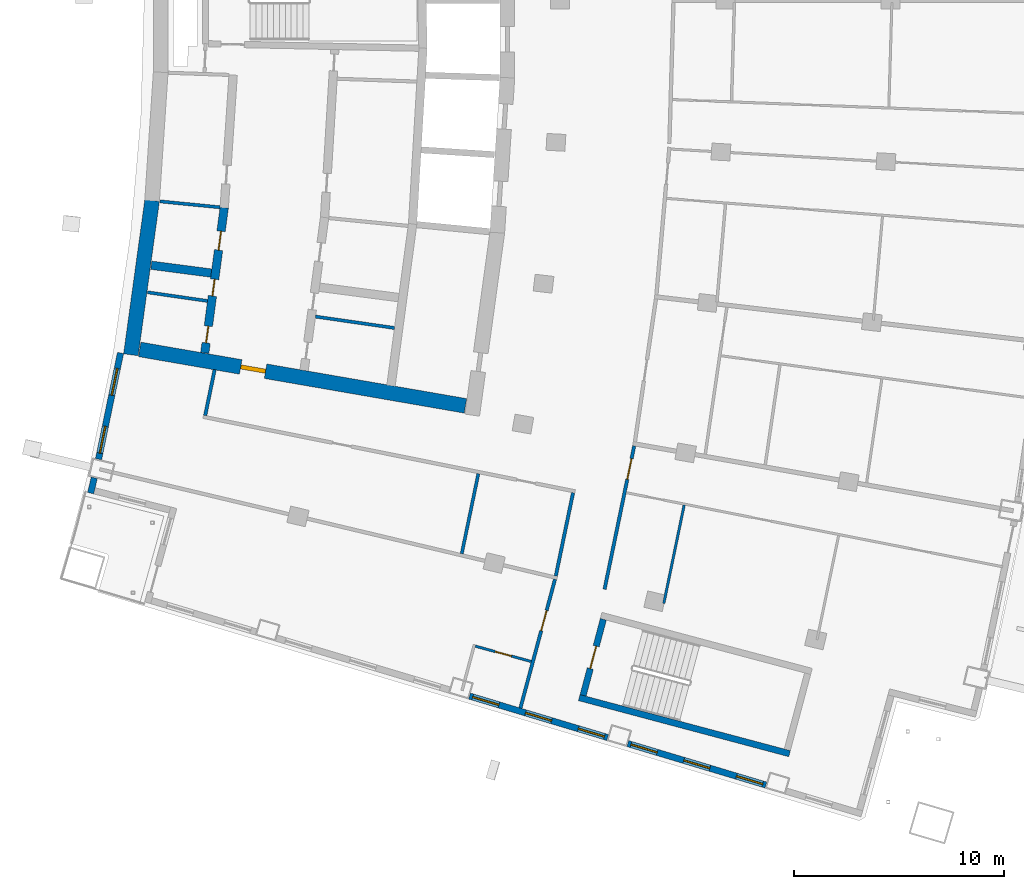
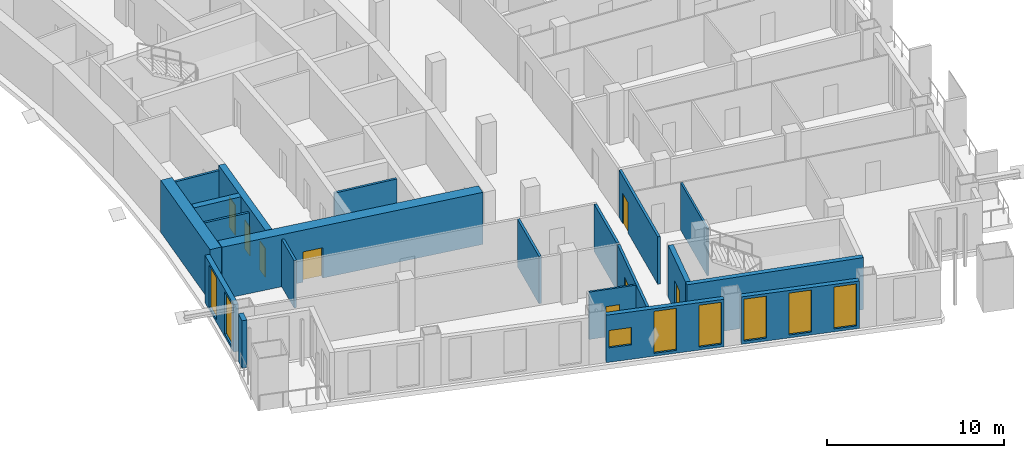
# One storey, part 10 of 20: 20 walls, 8 doors, 8 windows, 16 openings.
"""IFC4 building model written with IfcOpenShell, lengths in metres."""

from ifc_helpers import new_model, si_unit, direction, frame, frame_2d, origin, place, context, subcontext, project, spatial, rectangle, extrude, material, layer, layer_set, type_object, element, fill, save


model = new_model("IFC4")

# Units and contexts
model_context = context("Model", 3, precision=1e-05, world=origin(), true_north=direction((0.0, 1.0)))
body_context = subcontext(model_context, "Body", "Model", "MODEL_VIEW")
ifc_project = project(units=[si_unit("LENGTHUNIT", "METRE"), si_unit("AREAUNIT", "SQUARE_METRE"), si_unit("VOLUMEUNIT", "CUBIC_METRE"), si_unit("PLANEANGLEUNIT", "RADIAN"), si_unit("MASSUNIT", "GRAM", prefix="KILO")], contexts=[model_context])

# Site, building, storey
site_placement = place(None, origin())
site = spatial("IfcSite", under=ifc_project, at=site_placement, CompositionType="ELEMENT")
building_placement = place(site_placement, origin())
building = spatial("IfcBuilding", under=site, at=building_placement, Name="Alderwake Tower", CompositionType="ELEMENT")
storey_placement = place(building_placement, frame((0.0, 0.0, 167.60009765625)))
storey = spatial("IfcBuildingStorey", under=building, at=storey_placement, Name="L41", CompositionType="ELEMENT", Elevation=167.60009765625)

# Walls
ifc_material_1 = material(Name="Gypsum shaft wall system, rated")
ifc_layer_1 = layer(ifc_material_1, 0.14990234375)
ifc_layer_set_1 = layer_set([ifc_layer_1], Name="Core room partition 150")
wall_type_1 = type_object("IfcWallType", Name="Core room partition 150", PredefinedType="PARTITIONING", material=ifc_layer_set_1)
wall_1_placement = place(storey_placement, frame((16.16357421875, 47.110595703125, 0.0), z_axis=(0.0, 0.0, 1.0), x_axis=(0.989731551655, -0.142938642984, 0.0)))
element("IfcWall", 1, at=wall_1_placement, inside=storey, type_object=wall_type_1, Name="CW/L41/PR-150_+0", PredefinedType="PARTITIONING", context=body_context, shape_type="SweptSolid", body=[
    extrude(rectangle(XDim=2.883056640625, YDim=0.14990234375, at=frame_2d((1.44140625, 0.0))), origin(), (0.0, 0.0, 1.0), 3.27978515625),
])
wall_2_placement = place(storey_placement, frame((24.160400390625, 45.95556640625, 0.0), z_axis=(0.0, 0.0, 1.0), x_axis=(0.989733513529, -0.142925057975, 0.0)))
element("IfcWall", 2, at=wall_2_placement, inside=storey, type_object=wall_type_1, Name="CW/L41/PR-150_+86", PredefinedType="PARTITIONING", context=body_context, shape_type="SweptSolid", body=[
    extrude(rectangle(XDim=3.795654296875, YDim=0.14990234375, at=frame_2d((1.89794921875, 0.0))), origin(), (0.0, 0.0, 1.0), 3.27978515625),
])
wall_3_placement = place(storey_placement, frame((16.759033203125, 51.438720703125, 0.0), z_axis=(0.0, 0.0, 1.0), x_axis=(0.995151923206, -0.098349630095, 0.0)))
element("IfcWall", 3, at=wall_3_placement, inside=storey, type_object=wall_type_1, Name="CW/L41/PR-103_+0", PredefinedType="PARTITIONING", context=body_context, shape_type="SweptSolid", body=[
    extrude(rectangle(XDim=2.86962890625, YDim=0.14990234375, at=frame_2d((1.434814453125, 0.0))), origin(), (0.0, 0.0, 1.0), 3.27978515625),
])
ifc_material_2 = material(Name="Concrete C70/85", Category="concrete")
ifc_layer_2 = layer(ifc_material_2, 0.699951171875)
ifc_layer_set_2 = layer_set([ifc_layer_2], Name="Core wall outer 700 C70-85")
wall_type_2 = type_object("IfcWallType", Name="Core wall outer 700 C70-85", PredefinedType="SHEAR", material=ifc_layer_set_2)
wall_4_placement = place(storey_placement, frame((15.370849609375, 44.1376953125, 0.0), z_axis=(0.0, 0.0, 1.0), x_axis=(0.136315619812, 0.99066545907, 0.0)))
element("IfcWall", 4, at=wall_4_placement, inside=storey, type_object=wall_type_2, Name="Core wall CW.042", PredefinedType="SHEAR", context=body_context, shape_type="SweptSolid", body=[
    extrude(rectangle(XDim=7.420166015625, YDim=0.699951171875, at=frame_2d((3.7099609375, 0.0))), origin(), (0.0, 0.0, 1.0), 3.599853515625),
])

# Wall, opening, door
wall_5_placement = place(storey_placement, frame((31.295654296875, 41.705810546875, 0.0), z_axis=(0.0, 0.0, 1.0), x_axis=(-0.985302589944, 0.170818050129, 0.0)))
wall_5 = element("IfcWall", 5, at=wall_5_placement, inside=storey, type_object=wall_type_2, Name="Core wall CW.072", PredefinedType="SHEAR", context=body_context, shape_type="SweptSolid", body=[
    extrude(rectangle(XDim=15.7373046875, YDim=0.699951171875, at=frame_2d((7.86865234375, 0.0))), origin(), (0.0, 0.0, 1.0), 3.599853515625),
])
opening_1_placement = place(wall_5_placement, frame((9.65576171875, 0.0, 0.0)))
opening_1 = element("IfcOpeningElement", 6, at=opening_1_placement, cuts=wall_5, Name="Opening C003", PredefinedType="OPENING", context=body_context, shape_type="SweptSolid", body=[
    extrude(rectangle(XDim=1.199951171875, YDim=2.10009765625, at=frame_2d((0.60009765625, 1.050048828125))), frame((0.0, 0.35986328125, 0.0), z_axis=(0.0, -1.0, 0.0), x_axis=(1.0, 0.0, 0.0)), (0.0, 0.0, 1.0), 0.719970703125),
])
ifc_material_3 = material(Name="Steel-framed fire door leaf", Category="steel")
door_type_1 = type_object("IfcDoorType", Name="Core lobby exit door 1200 fire-rated", OperationType="SINGLE_SWING_LEFT", PredefinedType="DOOR", material=ifc_material_3)
door_1_placement = place(opening_1_placement, origin())
door_1 = element("IfcDoor", 7, at=door_1_placement, inside=storey, type_object=door_type_1, Name="Lobby door", OperationType="SINGLE_SWING_LEFT", OverallHeight=2.10009765625, OverallWidth=1.199951171875, PredefinedType="DOOR", context=body_context, shape_type="SweptSolid", body=[
    extrude(rectangle(XDim=1.199951171875, YDim=2.10009765625, at=frame_2d((0.60009765625, 1.050048828125))), frame((0.0, 0.10009765625, 0.0), z_axis=(0.0, -1.0, 0.0), x_axis=(1.0, 0.0, 0.0)), (0.0, 0.0, 1.0), 0.199951171875),
])
fill(opening_1, door_1)

# Wall, openings, doors
ifc_material_4 = material(Name="Concrete C70/85", Category="concrete")
ifc_layer_3 = layer(ifc_material_4, 0.39990234375)
ifc_layer_set_3 = layer_set([ifc_layer_3], Name="Core wall spine 400 C70-85")
wall_type_3 = type_object("IfcWallType", Name="Core wall spine 400 C70-85", PredefinedType="SHEAR", material=ifc_layer_set_3)
wall_6_placement = place(storey_placement, frame((19.814697265625, 51.143798828125, 0.0), z_axis=(0.0, 0.0, 1.0), x_axis=(-0.132864871698, -0.991134161387, 0.0)))
wall_6 = element("IfcWall", 8, at=wall_6_placement, inside=storey, type_object=wall_type_3, Name="Core wall CW.033", PredefinedType="SHEAR", context=body_context, shape_type="SweptSolid", body=[
    extrude(rectangle(XDim=6.978759765625, YDim=0.39990234375, at=frame_2d((3.4892578125, 0.0))), origin(), (0.0, 0.0, 1.0), 3.599853515625),
])
opening_2_placement = place(wall_6_placement, frame((5.69677734375, 0.0, 0.0)))
opening_2 = element("IfcOpeningElement", 9, at=opening_2_placement, cuts=wall_6, Name="Opening C008", PredefinedType="OPENING", context=body_context, shape_type="SweptSolid", body=[
    extrude(rectangle(XDim=0.800048828125, YDim=2.0, at=frame_2d((0.39990234375, 1.0))), frame((0.0, 0.2099609375, 0.0), z_axis=(0.0, -1.0, 0.0), x_axis=(1.0, 0.0, 0.0)), (0.0, 0.0, 1.0), 0.419921875),
])
opening_3_placement = place(wall_6_placement, frame((3.443115234375, 0.0, 0.0)))
opening_3 = element("IfcOpeningElement", 10, at=opening_3_placement, cuts=wall_6, Name="Opening C012", PredefinedType="OPENING", context=body_context, shape_type="SweptSolid", body=[
    extrude(rectangle(XDim=0.800048828125, YDim=2.0, at=frame_2d((0.39990234375, 1.0))), frame((0.0, 0.2099609375, 0.0), z_axis=(0.0, -1.0, 0.0), x_axis=(1.0, 0.0, 0.0)), (0.0, 0.0, 1.0), 0.419921875),
])
opening_4_placement = place(wall_6_placement, frame((1.13916015625, 0.0, 0.0)))
opening_4 = element("IfcOpeningElement", 11, at=opening_4_placement, cuts=wall_6, Name="Opening C039", PredefinedType="OPENING", context=body_context, shape_type="SweptSolid", body=[
    extrude(rectangle(XDim=0.89990234375, YDim=2.10009765625, at=frame_2d((0.449951171875, 1.050048828125))), frame((0.0, 0.2099609375, 0.0), z_axis=(0.0, -1.0, 0.0), x_axis=(1.0, 0.0, 0.0)), (0.0, 0.0, 1.0), 0.419921875),
])
ifc_material_5 = material(Name="Painted steel leaf", Category="steel")
door_type_2 = type_object("IfcDoorType", Name="Core room door 900", OperationType="SINGLE_SWING_LEFT", PredefinedType="DOOR", material=ifc_material_5)
door_2_placement = place(opening_4_placement, origin())
door_2 = element("IfcDoor", 12, at=door_2_placement, inside=storey, type_object=door_type_2, Name="Room door", OperationType="SINGLE_SWING_LEFT", OverallHeight=2.10009765625, OverallWidth=0.89990234375, PredefinedType="DOOR", context=body_context, shape_type="SweptSolid", body=[
    extrude(rectangle(XDim=0.89990234375, YDim=2.10009765625, at=frame_2d((0.449951171875, 1.050048828125))), frame((0.0, 0.02490234375, 0.0), z_axis=(0.0, -1.0, 0.0), x_axis=(1.0, 0.0, 0.0)), (0.0, 0.0, 1.0), 0.050048828125),
])
fill(opening_4, door_2)
ifc_material_6 = material(Name="Painted steel leaf, rated", Category="steel")
door_type_3 = type_object("IfcDoorType", Name="Riser access door 800", OperationType="SINGLE_SWING_LEFT", PredefinedType="DOOR", material=ifc_material_6)
door_3_placement = place(opening_2_placement, origin())
door_3 = element("IfcDoor", 13, at=door_3_placement, inside=storey, type_object=door_type_3, Name="Riser access door", OperationType="SINGLE_SWING_LEFT", OverallHeight=2.0, OverallWidth=0.800048828125, PredefinedType="DOOR", context=body_context, shape_type="SweptSolid", body=[
    extrude(rectangle(XDim=0.800048828125, YDim=2.0, at=frame_2d((0.39990234375, 1.0))), frame((0.0, 0.02490234375, 0.0), z_axis=(0.0, -1.0, 0.0), x_axis=(1.0, 0.0, 0.0)), (0.0, 0.0, 1.0), 0.050048828125),
])
fill(opening_2, door_3)
door_4_placement = place(opening_3_placement, origin())
door_4 = element("IfcDoor", 14, at=door_4_placement, inside=storey, type_object=door_type_3, Name="Riser access door", OperationType="SINGLE_SWING_RIGHT", OverallHeight=2.0, OverallWidth=0.800048828125, PredefinedType="DOOR", context=body_context, shape_type="SweptSolid", body=[
    extrude(rectangle(XDim=0.800048828125, YDim=2.0, at=frame_2d((0.39990234375, 1.0))), frame((0.0, 0.02490234375, 0.0), z_axis=(0.0, -1.0, 0.0), x_axis=(1.0, 0.0, 0.0)), (0.0, 0.0, 1.0), 0.050048828125),
])
fill(opening_3, door_4)

# Walls
wall_7_placement = place(storey_placement, frame((16.3408203125, 48.3994140625, 0.0), z_axis=(0.0, 0.0, 1.0), x_axis=(0.991544987266, -0.129763393253, 0.0)))
element("IfcWall", 15, at=wall_7_placement, inside=storey, type_object=wall_type_3, Name="Core wall CW.067", PredefinedType="SHEAR", context=body_context, shape_type="SweptSolid", body=[
    extrude(rectangle(XDim=2.878662109375, YDim=0.39990234375, at=frame_2d((1.439453125, 0.0))), origin(), (0.0, 0.0, 1.0), 3.599853515625),
])
ifc_material_7 = material(Name="Concrete C70/85", Category="concrete")
ifc_layer_4 = layer(ifc_material_7, 0.300048828125)
ifc_layer_set_4 = layer_set([ifc_layer_4], Name="Core wall stair enclosure 300 C70-85")
wall_type_4 = type_object("IfcWallType", Name="Core wall stair enclosure 300 C70-85", PredefinedType="SHEAR", material=ifc_layer_set_4)
wall_8_placement = place(storey_placement, frame((36.71142578125, 27.817626953125, 0.0), z_axis=(0.0, 0.0, 1.0), x_axis=(0.966309214305, -0.257383958996, 0.0)))
element("IfcWall", 16, at=wall_8_placement, inside=storey, type_object=wall_type_4, Name="Core wall CW.088", PredefinedType="SHEAR", context=body_context, shape_type="SweptSolid", body=[
    extrude(rectangle(XDim=10.360107421875, YDim=0.300048828125, at=frame_2d((5.18017578125, 0.0))), origin(), (0.0, 0.0, 1.0), 3.599853515625),
])

# Wall, opening, door
wall_9_placement = place(storey_placement, frame((36.89501953125, 27.923828125, 0.0), z_axis=(0.0, 0.0, 1.0), x_axis=(0.257350630826, 0.966318090907, 0.0)))
wall_9 = element("IfcWall", 17, at=wall_9_placement, inside=storey, type_object=wall_type_4, Name="Core wall CW.087", PredefinedType="SHEAR", context=body_context, shape_type="SweptSolid", body=[
    extrude(rectangle(XDim=3.75, YDim=0.300048828125, at=frame_2d((1.875, 0.0))), origin(), (0.0, 0.0, 1.0), 3.599853515625),
])
opening_5_placement = place(wall_9_placement, frame((1.324951171875, 0.0, 0.0)))
opening_5 = element("IfcOpeningElement", 18, at=opening_5_placement, cuts=wall_9, Name="Opening C065", PredefinedType="OPENING", context=body_context, shape_type="SweptSolid", body=[
    extrude(rectangle(XDim=1.10009765625, YDim=2.10009765625, at=frame_2d((0.550048828125, 1.050048828125))), frame((0.0, 0.159912109375, 0.0), z_axis=(0.0, -1.0, 0.0), x_axis=(1.0, 0.0, 0.0)), (0.0, 0.0, 1.0), 0.320068359375),
])
ifc_material_8 = material(Name="Steel-framed fire door leaf", Category="steel")
door_type_4 = type_object("IfcDoorType", Name="Core stair door 1100 fire-rated", OperationType="SINGLE_SWING_LEFT", PredefinedType="DOOR", material=ifc_material_8)
door_5_placement = place(opening_5_placement, origin())
door_5 = element("IfcDoor", 19, at=door_5_placement, inside=storey, type_object=door_type_4, Name="Stair door", OperationType="SINGLE_SWING_RIGHT", OverallHeight=2.10009765625, OverallWidth=1.10009765625, PredefinedType="DOOR", context=body_context, shape_type="SweptSolid", body=[
    extrude(rectangle(XDim=1.10009765625, YDim=2.10009765625, at=frame_2d((0.550048828125, 1.050048828125))), frame((0.0, 0.02490234375, 0.0), z_axis=(0.0, -1.0, 0.0), x_axis=(1.0, 0.0, 0.0)), (0.0, 0.0, 1.0), 0.050048828125),
])
fill(opening_5, door_5)

# Wall
ifc_material_9 = material(Name="Gypsum board on metal studs, rated")
ifc_layer_5 = layer(ifc_material_9, 0.159912109375)
ifc_layer_set_5 = layer_set([ifc_layer_5], Name="Corridor wall 160")
wall_type_5 = type_object("IfcWallType", Name="Corridor wall 160", PredefinedType="PARTITIONING", material=ifc_layer_set_5)
wall_10_placement = place(storey_placement, frame((19.35888671875, 43.430908203125, 0.0), z_axis=(0.0, 0.0, 1.0), x_axis=(-0.202554916658, -0.979270905183, 0.0)))
element("IfcWall", 20, at=wall_10_placement, inside=storey, type_object=wall_type_5, Name="WL/L41/W13", PredefinedType="PARTITIONING", context=body_context, shape_type="SweptSolid", body=[
    extrude(rectangle(XDim=2.229736328125, YDim=0.159912109375, at=frame_2d((1.11474609375, 0.0))), origin(), (0.0, 0.0, 1.0), 3.27978515625),
])

# Wall, opening, door
wall_11_placement = place(storey_placement, frame((33.912109375, 27.321044921875, 0.0), z_axis=(0.0, 0.0, 1.0), x_axis=(0.259370874835, 0.965777794986, 0.0)))
wall_11 = element("IfcWall", 21, at=wall_11_placement, inside=storey, type_object=wall_type_5, Name="WL/L41/W16", PredefinedType="PARTITIONING", context=body_context, shape_type="SweptSolid", body=[
    extrude(rectangle(XDim=6.349853515625, YDim=0.159912109375, at=frame_2d((3.1748046875, 0.0))), origin(), (0.0, 0.0, 1.0), 3.27978515625),
])
opening_6_placement = place(wall_11_placement, frame((3.811279296875, 0.0, 0.0)))
opening_6 = element("IfcOpeningElement", 22, at=opening_6_placement, cuts=wall_11, Name="Opening R11-U09.1", PredefinedType="OPENING", context=body_context, shape_type="SweptSolid", body=[
    extrude(rectangle(XDim=1.0, YDim=2.10009765625, at=frame_2d((0.5, 1.050048828125))), frame((0.0, 0.08984375, 0.0), z_axis=(0.0, -1.0, 0.0), x_axis=(1.0, 0.0, 0.0)), (0.0, 0.0, 1.0), 0.179931640625),
])
ifc_material_10 = material(Name="Solid timber leaf in steel frame", Category="steel")
door_type_5 = type_object("IfcDoorType", Name="Flat entrance door 1000 fire-rated", OperationType="SINGLE_SWING_LEFT", PredefinedType="DOOR", material=ifc_material_10)
door_6_placement = place(opening_6_placement, origin())
door_6 = element("IfcDoor", 23, at=door_6_placement, inside=storey, type_object=door_type_5, Name="DR/L41/U09.1", OperationType="SINGLE_SWING_LEFT", OverallHeight=2.10009765625, OverallWidth=1.0, PredefinedType="DOOR", context=body_context, shape_type="SweptSolid", body=[
    extrude(rectangle(XDim=1.0, YDim=2.10009765625, at=frame_2d((0.5, 1.050048828125))), frame((0.0, 0.02490234375, 0.0), z_axis=(0.0, -1.0, 0.0), x_axis=(1.0, 0.0, 0.0)), (0.0, 0.0, 1.0), 0.050048828125),
])
fill(opening_6, door_6)

# Wall
wall_12_placement = place(storey_placement, frame((36.418701171875, 37.57177734375, 0.0), z_axis=(0.0, 0.0, 1.0), x_axis=(-0.203245920818, -0.979127721838, 0.0)))
element("IfcWall", 24, at=wall_12_placement, inside=storey, type_object=wall_type_5, Name="WL/L41/W18", PredefinedType="PARTITIONING", context=body_context, shape_type="SweptSolid", body=[
    extrude(rectangle(XDim=4.046875, YDim=0.159912109375, at=frame_2d((2.0234375, 0.0))), origin(), (0.0, 0.0, 1.0), 3.27978515625),
])

# Wall, opening, door
wall_13_placement = place(storey_placement, frame((39.32763671875, 39.799072265625, 0.0), z_axis=(0.0, 0.0, 1.0), x_axis=(-0.202466556983, -0.979289177569, 0.0)))
wall_13 = element("IfcWall", 25, at=wall_13_placement, inside=storey, type_object=wall_type_5, Name="WL/L41/W20", PredefinedType="PARTITIONING", context=body_context, shape_type="SweptSolid", body=[
    extrude(rectangle(XDim=6.96728515625, YDim=0.159912109375, at=frame_2d((3.483642578125, 0.0))), origin(), (0.0, 0.0, 1.0), 3.27978515625),
])
opening_7_placement = place(wall_13_placement, frame((0.62744140625, 0.0, 0.0)))
opening_7 = element("IfcOpeningElement", 26, at=opening_7_placement, cuts=wall_13, Name="Opening R11-U03.2", PredefinedType="OPENING", context=body_context, shape_type="SweptSolid", body=[
    extrude(rectangle(XDim=1.0, YDim=2.10009765625, at=frame_2d((0.5, 1.050048828125))), frame((0.0, 0.08984375, 0.0), z_axis=(0.0, -1.0, 0.0), x_axis=(1.0, 0.0, 0.0)), (0.0, 0.0, 1.0), 0.179931640625),
])
door_7_placement = place(opening_7_placement, origin())
door_7 = element("IfcDoor", 27, at=door_7_placement, inside=storey, type_object=door_type_5, Name="DR/L41/U03.2", OperationType="SINGLE_SWING_LEFT", OverallHeight=2.10009765625, OverallWidth=1.0, PredefinedType="DOOR", context=body_context, shape_type="SweptSolid", body=[
    extrude(rectangle(XDim=1.0, YDim=2.10009765625, at=frame_2d((0.5, 1.050048828125))), frame((0.0, 0.02490234375, 0.0), z_axis=(0.0, -1.0, 0.0), x_axis=(1.0, 0.0, 0.0)), (0.0, 0.0, 1.0), 0.050048828125),
])
fill(opening_7, door_7)

# Wall
ifc_material_11 = material(Name="Precast concrete C50/60 spandrel panel", Category="concrete")
ifc_layer_6 = layer(ifc_material_11, 0.300048828125)
ifc_layer_set_6 = layer_set([ifc_layer_6], Name="External wall EW1 Precast concrete C50/60 spandrel")
wall_type_6 = type_object("IfcWallType", Name="External wall EW1 Precast concrete C50/60 spandrel", PredefinedType="SOLIDWALL", material=ifc_layer_set_6)
wall_14_placement = place(storey_placement, frame((13.63134765625, 38.28271484375, 0.0), z_axis=(0.0, 0.0, 1.0), x_axis=(-0.238336947214, -0.971182526404, 0.0)))
element("IfcWall", 28, at=wall_14_placement, inside=storey, type_object=wall_type_6, Name="External wall 1", PredefinedType="SOLIDWALL", context=body_context, shape_type="SweptSolid", body=[
    extrude(rectangle(XDim=0.7529296875, YDim=0.300048828125, at=frame_2d((0.37646484375, 0.0))), origin(), (0.0, 0.0, 1.0), 3.27978515625),
])

# Wall, openings, windows
wall_15_placement = place(storey_placement, frame((14.878173828125, 44.223388671875, 0.0), z_axis=(0.0, 0.0, 1.0), x_axis=(-0.202754243564, -0.979229654737, 0.0)))
wall_15 = element("IfcWall", 29, at=wall_15_placement, inside=storey, type_object=wall_type_6, Name="External wall 32", PredefinedType="SOLIDWALL", context=body_context, shape_type="SweptSolid", body=[
    extrude(rectangle(XDim=5.15966796875, YDim=0.300048828125, at=frame_2d((2.579833984375, 0.0))), origin(), (0.0, 0.0, 1.0), 3.27978515625),
])
opening_8_placement = place(wall_15_placement, frame((0.75634765625, 0.0, 0.199951171875)))
opening_8 = element("IfcOpeningElement", 30, at=opening_8_placement, cuts=wall_15, Name="Opening W1", PredefinedType="OPENING", context=body_context, shape_type="SweptSolid", body=[
    extrude(rectangle(XDim=1.300048828125, YDim=2.89990234375, at=frame_2d((0.64990234375, 1.449951171875))), frame((0.0, 0.159912109375, 0.0), z_axis=(0.0, -1.0, 0.0), x_axis=(1.0, 0.0, 0.0)), (0.0, 0.0, 1.0), 0.320068359375),
])
opening_9_placement = place(wall_15_placement, frame((3.569091796875, 0.0, 0.199951171875)))
opening_9 = element("IfcOpeningElement", 31, at=opening_9_placement, cuts=wall_15, Name="Opening W1", PredefinedType="OPENING", context=body_context, shape_type="SweptSolid", body=[
    extrude(rectangle(XDim=1.300048828125, YDim=2.89990234375, at=frame_2d((0.64990234375, 1.449951171875))), frame((0.0, 0.159912109375, 0.0), z_axis=(0.0, -1.0, 0.0), x_axis=(1.0, 0.0, 0.0)), (0.0, 0.0, 1.0), 0.320068359375),
])
ifc_material_12 = material(Name="Bronze tinted glass in aluminium frame", Category="aluminium")
window_type_1 = type_object("IfcWindowType", Name="Window W1 tall fixed and vent", PartitioningType="DOUBLE_PANEL_VERTICAL", PredefinedType="WINDOW", material=ifc_material_12)
window_1_placement = place(opening_8_placement, origin())
window_1 = element("IfcWindow", 32, at=window_1_placement, inside=storey, type_object=window_type_1, Name="Window W1 tall fixed and vent", OverallHeight=2.89990234375, OverallWidth=1.300048828125, PartitioningType="DOUBLE_PANEL_VERTICAL", PredefinedType="WINDOW", context=body_context, shape_type="SweptSolid", body=[
    extrude(rectangle(XDim=1.300048828125, YDim=2.89990234375, at=frame_2d((0.64990234375, 1.449951171875))), frame((0.0, 0.030029296875, 0.0), z_axis=(0.0, -1.0, 0.0), x_axis=(1.0, 0.0, 0.0)), (0.0, 0.0, 1.0), 0.06005859375),
])
fill(opening_8, window_1)
window_2_placement = place(opening_9_placement, origin())
window_2 = element("IfcWindow", 33, at=window_2_placement, inside=storey, type_object=window_type_1, Name="Window W1 tall fixed and vent", OverallHeight=2.89990234375, OverallWidth=1.300048828125, PartitioningType="DOUBLE_PANEL_VERTICAL", PredefinedType="WINDOW", context=body_context, shape_type="SweptSolid", body=[
    extrude(rectangle(XDim=1.300048828125, YDim=2.89990234375, at=frame_2d((0.64990234375, 1.449951171875))), frame((0.0, 0.030029296875, 0.0), z_axis=(0.0, -1.0, 0.0), x_axis=(1.0, 0.0, 0.0)), (0.0, 0.0, 1.0), 0.06005859375),
])
fill(opening_9, window_2)

ifc_material_13 = material(Name="Bronze metal cladding on lightweight framing")
ifc_layer_7 = layer(ifc_material_13, 0.300048828125)
ifc_layer_set_7 = layer_set([ifc_layer_7], Name="External wall EW2 bronze metal cladding")
wall_type_7 = type_object("IfcWallType", Name="External wall EW2 bronze metal cladding", PredefinedType="SOLIDWALL", material=ifc_layer_set_7)
wall_16_placement = place(storey_placement, frame((31.4892578125, 27.89306640625, 0.0), z_axis=(0.0, 0.0, 1.0), x_axis=(0.957776335697, -0.287514331431, 0.0)))
wall_16 = element("IfcWall", 34, at=wall_16_placement, inside=storey, type_object=wall_type_7, Name="External wall 6", PredefinedType="SOLIDWALL", context=body_context, shape_type="SweptSolid", body=[
    extrude(rectangle(XDim=6.86279296875, YDim=0.300048828125, at=frame_2d((3.431396484375, 0.0))), origin(), (0.0, 0.0, 1.0), 3.27978515625),
])
opening_10_placement = place(wall_16_placement, frame((0.1591796875, 0.0, 1.0)))
opening_10 = element("IfcOpeningElement", 35, at=opening_10_placement, cuts=wall_16, Name="Opening W2", PredefinedType="OPENING", context=body_context, shape_type="SweptSolid", body=[
    extrude(rectangle(XDim=1.300048828125, YDim=1.199951171875, at=frame_2d((0.64990234375, 0.60009765625))), frame((0.0, 0.159912109375, 0.0), z_axis=(0.0, -1.0, 0.0), x_axis=(1.0, 0.0, 0.0)), (0.0, 0.0, 1.0), 0.320068359375),
])
opening_11_placement = place(wall_16_placement, frame((2.78125, 0.0, 0.199951171875)))
opening_11 = element("IfcOpeningElement", 36, at=opening_11_placement, cuts=wall_16, Name="Opening W1", PredefinedType="OPENING", context=body_context, shape_type="SweptSolid", body=[
    extrude(rectangle(XDim=1.300048828125, YDim=2.89990234375, at=frame_2d((0.64990234375, 1.449951171875))), frame((0.0, 0.159912109375, 0.0), z_axis=(0.0, -1.0, 0.0), x_axis=(1.0, 0.0, 0.0)), (0.0, 0.0, 1.0), 0.320068359375),
])
opening_12_placement = place(wall_16_placement, frame((5.403564453125, 0.0, 0.199951171875)))
opening_12 = element("IfcOpeningElement", 37, at=opening_12_placement, cuts=wall_16, Name="Opening W1", PredefinedType="OPENING", context=body_context, shape_type="SweptSolid", body=[
    extrude(rectangle(XDim=1.300048828125, YDim=2.89990234375, at=frame_2d((0.64990234375, 1.449951171875))), frame((0.0, 0.159912109375, 0.0), z_axis=(0.0, -1.0, 0.0), x_axis=(1.0, 0.0, 0.0)), (0.0, 0.0, 1.0), 0.320068359375),
])
window_3_placement = place(opening_11_placement, origin())
window_3 = element("IfcWindow", 38, at=window_3_placement, inside=storey, type_object=window_type_1, Name="Window W1 tall fixed and vent", OverallHeight=2.89990234375, OverallWidth=1.300048828125, PartitioningType="DOUBLE_PANEL_VERTICAL", PredefinedType="WINDOW", context=body_context, shape_type="SweptSolid", body=[
    extrude(rectangle(XDim=1.300048828125, YDim=2.89990234375, at=frame_2d((0.64990234375, 1.449951171875))), frame((0.0, 0.030029296875, 0.0), z_axis=(0.0, -1.0, 0.0), x_axis=(1.0, 0.0, 0.0)), (0.0, 0.0, 1.0), 0.06005859375),
])
fill(opening_11, window_3)
window_4_placement = place(opening_12_placement, origin())
window_4 = element("IfcWindow", 39, at=window_4_placement, inside=storey, type_object=window_type_1, Name="Window W1 tall fixed and vent", OverallHeight=2.89990234375, OverallWidth=1.300048828125, PartitioningType="DOUBLE_PANEL_VERTICAL", PredefinedType="WINDOW", context=body_context, shape_type="SweptSolid", body=[
    extrude(rectangle(XDim=1.300048828125, YDim=2.89990234375, at=frame_2d((0.64990234375, 1.449951171875))), frame((0.0, 0.030029296875, 0.0), z_axis=(0.0, -1.0, 0.0), x_axis=(1.0, 0.0, 0.0)), (0.0, 0.0, 1.0), 0.06005859375),
])
fill(opening_12, window_4)
ifc_material_14 = material(Name="Bronze tinted glass in aluminium frame", Category="aluminium")
window_type_2 = type_object("IfcWindowType", Name="Window W2 kitchen and bath", PartitioningType="SINGLE_PANEL", PredefinedType="WINDOW", material=ifc_material_14)
window_5_placement = place(opening_10_placement, origin())
window_5 = element("IfcWindow", 40, at=window_5_placement, inside=storey, type_object=window_type_2, Name="Window W2 kitchen and bath", OverallHeight=1.199951171875, OverallWidth=1.300048828125, PartitioningType="SINGLE_PANEL", PredefinedType="WINDOW", context=body_context, shape_type="SweptSolid", body=[
    extrude(rectangle(XDim=1.300048828125, YDim=1.199951171875, at=frame_2d((0.64990234375, 0.60009765625))), frame((0.0, 0.030029296875, 0.0), z_axis=(0.0, -1.0, 0.0), x_axis=(1.0, 0.0, 0.0)), (0.0, 0.0, 1.0), 0.06005859375),
])
fill(opening_10, window_5)

wall_17_placement = place(storey_placement, frame((39.023681640625, 25.631103515625, 0.0), z_axis=(0.0, 0.0, 1.0), x_axis=(0.957766538893, -0.287546964821, 0.0)))
wall_17 = element("IfcWall", 41, at=wall_17_placement, inside=storey, type_object=wall_type_7, Name="External wall 7", PredefinedType="SOLIDWALL", context=body_context, shape_type="SweptSolid", body=[
    extrude(rectangle(XDim=6.86279296875, YDim=0.300048828125, at=frame_2d((3.431396484375, 0.0))), origin(), (0.0, 0.0, 1.0), 3.27978515625),
])
opening_13_placement = place(wall_17_placement, frame((0.1591796875, 0.0, 0.199951171875)))
opening_13 = element("IfcOpeningElement", 42, at=opening_13_placement, cuts=wall_17, Name="Opening W1", PredefinedType="OPENING", context=body_context, shape_type="SweptSolid", body=[
    extrude(rectangle(XDim=1.300048828125, YDim=2.89990234375, at=frame_2d((0.64990234375, 1.449951171875))), frame((0.0, 0.159912109375, 0.0), z_axis=(0.0, -1.0, 0.0), x_axis=(1.0, 0.0, 0.0)), (0.0, 0.0, 1.0), 0.320068359375),
])
opening_14_placement = place(wall_17_placement, frame((2.781494140625, 0.0, 0.199951171875)))
opening_14 = element("IfcOpeningElement", 43, at=opening_14_placement, cuts=wall_17, Name="Opening W1", PredefinedType="OPENING", context=body_context, shape_type="SweptSolid", body=[
    extrude(rectangle(XDim=1.300048828125, YDim=2.89990234375, at=frame_2d((0.64990234375, 1.449951171875))), frame((0.0, 0.159912109375, 0.0), z_axis=(0.0, -1.0, 0.0), x_axis=(1.0, 0.0, 0.0)), (0.0, 0.0, 1.0), 0.320068359375),
])
opening_15_placement = place(wall_17_placement, frame((5.403564453125, 0.0, 0.199951171875)))
opening_15 = element("IfcOpeningElement", 44, at=opening_15_placement, cuts=wall_17, Name="Opening W1", PredefinedType="OPENING", context=body_context, shape_type="SweptSolid", body=[
    extrude(rectangle(XDim=1.300048828125, YDim=2.89990234375, at=frame_2d((0.64990234375, 1.449951171875))), frame((0.0, 0.159912109375, 0.0), z_axis=(0.0, -1.0, 0.0), x_axis=(1.0, 0.0, 0.0)), (0.0, 0.0, 1.0), 0.320068359375),
])
window_6_placement = place(opening_13_placement, origin())
window_6 = element("IfcWindow", 45, at=window_6_placement, inside=storey, type_object=window_type_1, Name="Window W1 tall fixed and vent", OverallHeight=2.89990234375, OverallWidth=1.300048828125, PartitioningType="DOUBLE_PANEL_VERTICAL", PredefinedType="WINDOW", context=body_context, shape_type="SweptSolid", body=[
    extrude(rectangle(XDim=1.300048828125, YDim=2.89990234375, at=frame_2d((0.64990234375, 1.449951171875))), frame((0.0, 0.030029296875, 0.0), z_axis=(0.0, -1.0, 0.0), x_axis=(1.0, 0.0, 0.0)), (0.0, 0.0, 1.0), 0.06005859375),
])
fill(opening_13, window_6)
window_7_placement = place(opening_14_placement, origin())
window_7 = element("IfcWindow", 46, at=window_7_placement, inside=storey, type_object=window_type_1, Name="Window W1 tall fixed and vent", OverallHeight=2.89990234375, OverallWidth=1.300048828125, PartitioningType="DOUBLE_PANEL_VERTICAL", PredefinedType="WINDOW", context=body_context, shape_type="SweptSolid", body=[
    extrude(rectangle(XDim=1.300048828125, YDim=2.89990234375, at=frame_2d((0.64990234375, 1.449951171875))), frame((0.0, 0.030029296875, 0.0), z_axis=(0.0, -1.0, 0.0), x_axis=(1.0, 0.0, 0.0)), (0.0, 0.0, 1.0), 0.06005859375),
])
fill(opening_14, window_7)
window_8_placement = place(opening_15_placement, origin())
window_8 = element("IfcWindow", 47, at=window_8_placement, inside=storey, type_object=window_type_1, Name="Window W1 tall fixed and vent", OverallHeight=2.89990234375, OverallWidth=1.300048828125, PartitioningType="DOUBLE_PANEL_VERTICAL", PredefinedType="WINDOW", context=body_context, shape_type="SweptSolid", body=[
    extrude(rectangle(XDim=1.300048828125, YDim=2.89990234375, at=frame_2d((0.64990234375, 1.449951171875))), frame((0.0, 0.030029296875, 0.0), z_axis=(0.0, -1.0, 0.0), x_axis=(1.0, 0.0, 0.0)), (0.0, 0.0, 1.0), 0.06005859375),
])
fill(opening_15, window_8)

# Wall
ifc_material_15 = material(Name="Gypsum shaft wall system, rated")
ifc_layer_8 = layer(ifc_material_15, 0.14990234375)
ifc_layer_set_8 = layer_set([ifc_layer_8], Name="Riser and shaft wall 150")
wall_type_8 = type_object("IfcWallType", Name="Riser and shaft wall 150", PredefinedType="PARTITIONING", material=ifc_layer_set_8)
wall_18_placement = place(storey_placement, frame((31.120361328125, 34.67138671875, 0.0), z_axis=(0.0, 0.0, 1.0), x_axis=(0.203103989328, 0.979157173042, 0.0)))
element("IfcWall", 48, at=wall_18_placement, inside=storey, type_object=wall_type_8, Name="WL/L41/W06", PredefinedType="PARTITIONING", context=body_context, shape_type="SweptSolid", body=[
    extrude(rectangle(XDim=3.887451171875, YDim=0.14990234375, at=frame_2d((1.94384765625, 0.0))), origin(), (0.0, 0.0, 1.0), 3.27978515625),
])

# Wall, opening, door
ifc_material_16 = material(Name="Moisture resistant gypsum board on metal studs")
ifc_layer_9 = layer(ifc_material_16, 0.1201171875)
ifc_layer_set_9 = layer_set([ifc_layer_9], Name="Wet room partition 120")
wall_type_9 = type_object("IfcWallType", Name="Wet room partition 120", PredefinedType="PARTITIONING", material=ifc_layer_set_9)
wall_19_placement = place(storey_placement, frame((34.42578125, 29.5380859375, 0.0), z_axis=(0.0, 0.0, 1.0), x_axis=(-0.964278304966, 0.264891205163, 0.0)))
wall_19 = element("IfcWall", 49, at=wall_19_placement, inside=storey, type_object=wall_type_9, Name="WL/L41/W32", PredefinedType="PARTITIONING", context=body_context, shape_type="SweptSolid", body=[
    extrude(rectangle(XDim=2.759521484375, YDim=0.1201171875, at=frame_2d((1.3798828125, 0.0))), origin(), (0.0, 0.0, 1.0), 3.27978515625),
])
opening_16_placement = place(wall_19_placement, frame((0.979736328125, 0.0, 0.0)))
opening_16 = element("IfcOpeningElement", 50, at=opening_16_placement, cuts=wall_19, Name="Opening R11-U09.2", PredefinedType="OPENING", context=body_context, shape_type="SweptSolid", body=[
    extrude(rectangle(XDim=0.800048828125, YDim=2.10009765625, at=frame_2d((0.39990234375, 1.050048828125))), frame((0.0, 0.070068359375, 0.0), z_axis=(0.0, -1.0, 0.0), x_axis=(1.0, 0.0, 0.0)), (0.0, 0.0, 1.0), 0.14013671875),
])
ifc_material_17 = material(Name="Painted timber leaf", Category="wood")
door_type_6 = type_object("IfcDoorType", Name="Bathroom door 800", OperationType="SINGLE_SWING_LEFT", PredefinedType="DOOR", material=ifc_material_17)
door_8_placement = place(opening_16_placement, origin())
door_8 = element("IfcDoor", 51, at=door_8_placement, inside=storey, type_object=door_type_6, Name="DR/L41/U09.2", OperationType="SINGLE_SWING_LEFT", OverallHeight=2.10009765625, OverallWidth=0.800048828125, PredefinedType="DOOR", context=body_context, shape_type="SweptSolid", body=[
    extrude(rectangle(XDim=0.800048828125, YDim=2.10009765625, at=frame_2d((0.39990234375, 1.050048828125))), frame((0.0, 0.02490234375, 0.0), z_axis=(0.0, -1.0, 0.0), x_axis=(1.0, 0.0, 0.0)), (0.0, 0.0, 1.0), 0.050048828125),
])
fill(opening_16, door_8)

# Wall
wall_20_placement = place(storey_placement, frame((40.737060546875, 32.303955078125, 0.0), z_axis=(0.0, 0.0, 1.0), x_axis=(0.202548156077, 0.979272303535, 0.0)))
element("IfcWall", 52, at=wall_20_placement, inside=storey, type_object=wall_type_9, Name="WL/L41/W33", PredefinedType="PARTITIONING", context=body_context, shape_type="SweptSolid", body=[
    extrude(rectangle(XDim=4.778076171875, YDim=0.1201171875, at=frame_2d((2.38916015625, 0.0))), origin(), (0.0, 0.0, 1.0), 3.27978515625),
])

save(model, "model.ifc")
